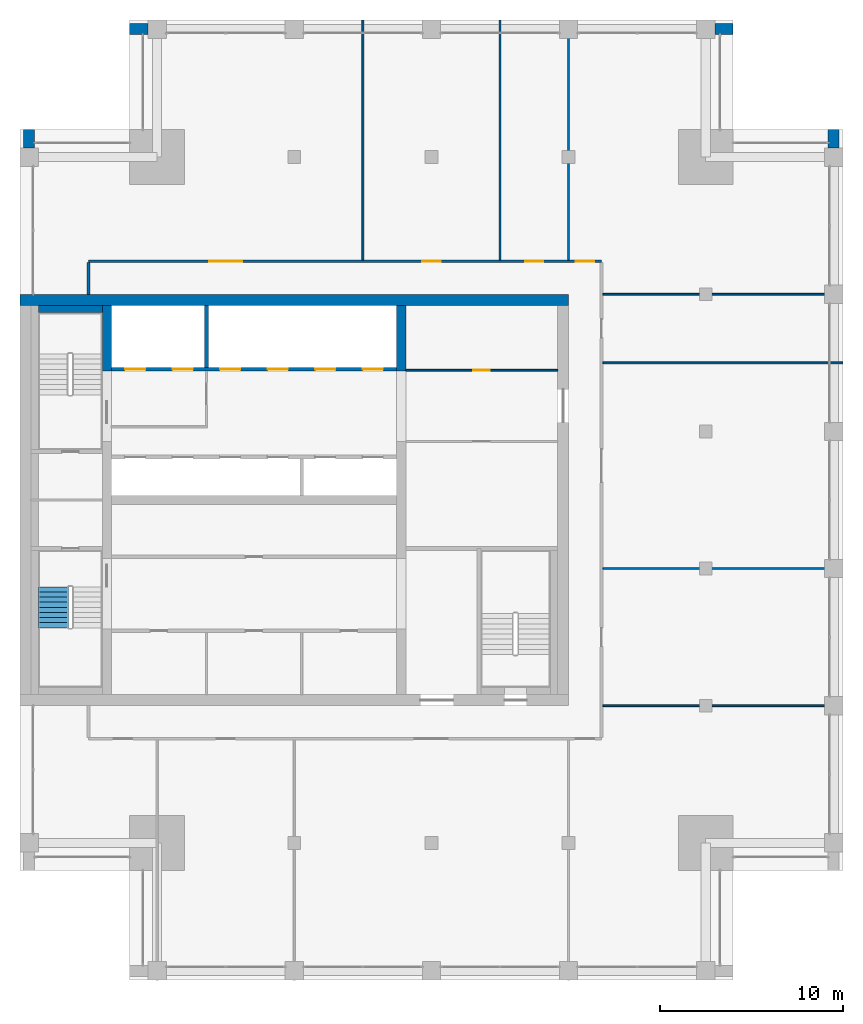
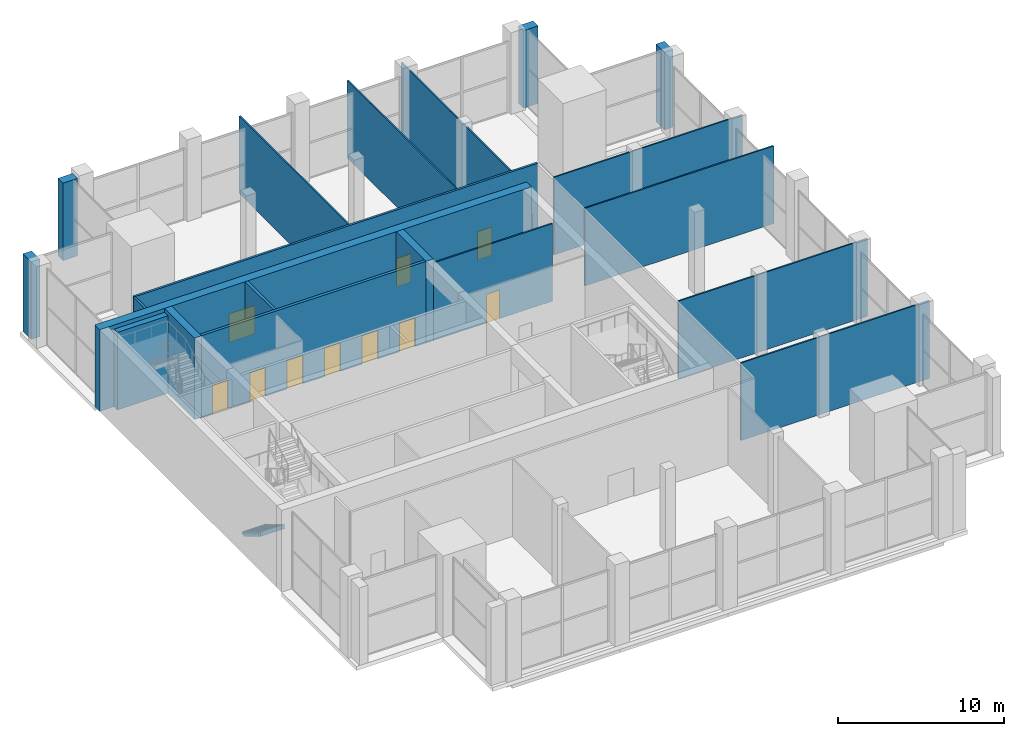
# One storey, part 10 of 15: 20 walls, 11 doors, 1 stair flight, 11 openings, 1 element without a shape of its own.
"""IFC4 building model written with IfcOpenShell, lengths in metres."""

from ifc_helpers import new_model, si_unit, direction, frame, frame_2d, origin, place, context, subcontext, project, spatial, polyline, rectangle, outline, extrude, material, layer, layer_set, type_object, element, fill, aggregate, save


model = new_model("IFC4")

# Units and contexts
model_context = context("Model", 3, precision=1e-05, world=origin(), true_north=direction((0.0, 1.0)))
body_context = subcontext(model_context, "Body", "Model", "MODEL_VIEW")
ifc_project = project(units=[si_unit("LENGTHUNIT", "METRE"), si_unit("AREAUNIT", "SQUARE_METRE"), si_unit("VOLUMEUNIT", "CUBIC_METRE"), si_unit("PLANEANGLEUNIT", "RADIAN"), si_unit("MASSUNIT", "GRAM", prefix="KILO")], contexts=[model_context])

# Site, building, storey
site_placement = place(None, origin())
site = spatial("IfcSite", under=ifc_project, at=site_placement, CompositionType="ELEMENT")
building_placement = place(site_placement, origin())
building = spatial("IfcBuilding", under=site, at=building_placement, Name="Tamorin Gate", CompositionType="ELEMENT")
storey_placement = place(building_placement, frame((0.0, 0.0, 302.699951171875)))
storey = spatial("IfcBuildingStorey", under=building, at=storey_placement, Name="L75", CompositionType="ELEMENT", Elevation=302.699951171875)

# Walls
ifc_material_1 = material(Name="Precast concrete C40/50", Category="concrete")
ifc_layer_1 = layer(ifc_material_1, 0.60009765625)
ifc_layer_set_1 = layer_set([ifc_layer_1], Name="Precast concrete C40/50")
wall_type_1 = type_object("IfcWallType", Name="Board-marked concrete facade panel 600", PredefinedType="SOLIDWALL", material=ifc_layer_set_1)
for number, where, z_axis, x_axis, name in (
    (1, (74.5, 90.5, 0.0), (0.0, 0.0, 1.0), (0.0, 1.0, 0.0), "Facade panel"),
    (2, (69.0, 97.0, 0.0), (0.0, 0.0, 1.0), (-1.0, 0.0, 0.0), "Facade panel"),
    (3, (37.0, 97.0, 0.0), (0.0, 0.0, 1.0), (-1.0, 0.0, 0.0), "Facade panel"),
    (4, (30.5, 91.5, 0.0), (0.0, 0.0, 1.0), (0.0, -1.0, 0.0), "Facade panel"),
):
    element("IfcWall", number, at=place(storey_placement, frame(where, z_axis=z_axis, x_axis=x_axis)), inside=storey, type_object=wall_type_1, Name=name, PredefinedType="SOLIDWALL", context=body_context, shape_type="SweptSolid", body=[
        extrude(rectangle(XDim=1.0, YDim=0.60009765625, at=frame_2d((0.5, 0.0))), origin(), (0.0, 0.0, 1.0), 5.699951171875),
    ])

# Wall, openings, doors
ifc_material_2 = material(Name="Gypsum board partition")
ifc_layer_2 = layer(ifc_material_2, 0.14990234375)
ifc_layer_set_2 = layer_set([ifc_layer_2], Name="Corridor wall 150")
wall_type_2 = type_object("IfcWallType", Name="Corridor wall 150", PredefinedType="PARTITIONING", material=ifc_layer_set_2)
wall_1_placement = place(storey_placement, frame((33.75, 84.300048828125, 0.0), z_axis=(0.0, 0.0, 1.0), x_axis=(1.0, 0.0, 0.0)))
wall_1 = element("IfcWall", 5, at=wall_1_placement, inside=storey, type_object=wall_type_2, Name="Corridor wall 150", PredefinedType="PARTITIONING", context=body_context, shape_type="SweptSolid", body=[
    extrude(rectangle(XDim=28.050048828125, YDim=0.14990234375, at=frame_2d((14.02490234375, 0.0))), origin(), (0.0, 0.0, 1.0), 5.699951171875),
])
opening_1_placement = place(wall_1_placement, frame((6.60009765625, 0.0, 0.0)))
opening_1 = element("IfcOpeningElement", 6, at=opening_1_placement, cuts=wall_1, Name="Opening DOB1005", PredefinedType="OPENING", context=body_context, shape_type="SweptSolid", body=[
    extrude(rectangle(XDim=1.800048828125, YDim=2.10009765625, at=frame_2d((0.89990234375, 1.050048828125))), frame((0.0, 0.0849609375, 0.0), z_axis=(0.0, -1.0, 0.0), x_axis=(1.0, 0.0, 0.0)), (0.0, 0.0, 1.0), 0.169921875),
])
opening_2_placement = place(wall_1_placement, frame((18.25, 0.0, 0.0)))
opening_2 = element("IfcOpeningElement", 7, at=opening_2_placement, cuts=wall_1, Name="Opening DOB1006", PredefinedType="OPENING", context=body_context, shape_type="SweptSolid", body=[
    extrude(rectangle(XDim=1.0, YDim=2.10009765625, at=frame_2d((0.5, 1.050048828125))), frame((0.0, 0.0849609375, 0.0), z_axis=(0.0, -1.0, 0.0), x_axis=(1.0, 0.0, 0.0)), (0.0, 0.0, 1.0), 0.169921875),
])
opening_3_placement = place(wall_1_placement, frame((23.875, 0.0, 0.0)))
opening_3 = element("IfcOpeningElement", 8, at=opening_3_placement, cuts=wall_1, Name="Opening DOB1007", PredefinedType="OPENING", context=body_context, shape_type="SweptSolid", body=[
    extrude(rectangle(XDim=1.0, YDim=2.10009765625, at=frame_2d((0.5, 1.050048828125))), frame((0.0, 0.0849609375, 0.0), z_axis=(0.0, -1.0, 0.0), x_axis=(1.0, 0.0, 0.0)), (0.0, 0.0, 1.0), 0.169921875),
])
opening_4_placement = place(wall_1_placement, frame((26.64990234375, 0.0, 0.0)))
opening_4 = element("IfcOpeningElement", 9, at=opening_4_placement, cuts=wall_1, Name="Opening DOB1008", PredefinedType="OPENING", context=body_context, shape_type="SweptSolid", body=[
    extrude(rectangle(XDim=1.0, YDim=2.10009765625, at=frame_2d((0.5, 1.050048828125))), frame((0.0, 0.0849609375, 0.0), z_axis=(0.0, -1.0, 0.0), x_axis=(1.0, 0.0, 0.0)), (0.0, 0.0, 1.0), 0.169921875),
])
ifc_material_3 = material(Name="Timber door leaf", Category="wood")
door_type_1 = type_object("IfcDoorType", Name="Door 1000 x 2100 FD30S", OperationType="NOTDEFINED", PredefinedType="DOOR", material=ifc_material_3)
door_1_placement = place(opening_2_placement, origin())
door_1 = element("IfcDoor", 10, at=door_1_placement, inside=storey, type_object=door_type_1, Name="Door DOB1006", OperationType="SINGLE_SWING_LEFT", OverallHeight=2.10009765625, OverallWidth=1.0, PredefinedType="DOOR", context=body_context, shape_type="SweptSolid", body=[
    extrude(rectangle(XDim=1.0, YDim=2.10009765625, at=frame_2d((0.5, 1.050048828125))), frame((0.0, 0.02490234375, 0.0), z_axis=(0.0, -1.0, 0.0), x_axis=(1.0, 0.0, 0.0)), (0.0, 0.0, 1.0), 0.050048828125),
])
fill(opening_2, door_1)
door_2_placement = place(opening_3_placement, origin())
door_2 = element("IfcDoor", 11, at=door_2_placement, inside=storey, type_object=door_type_1, Name="Door DOB1007", OperationType="SINGLE_SWING_LEFT", OverallHeight=2.10009765625, OverallWidth=1.0, PredefinedType="DOOR", context=body_context, shape_type="SweptSolid", body=[
    extrude(rectangle(XDim=1.0, YDim=2.10009765625, at=frame_2d((0.5, 1.050048828125))), frame((0.0, 0.02490234375, 0.0), z_axis=(0.0, -1.0, 0.0), x_axis=(1.0, 0.0, 0.0)), (0.0, 0.0, 1.0), 0.050048828125),
])
fill(opening_3, door_2)
door_3_placement = place(opening_4_placement, origin())
door_3 = element("IfcDoor", 12, at=door_3_placement, inside=storey, type_object=door_type_1, Name="Door DOB1008", OperationType="SINGLE_SWING_LEFT", OverallHeight=2.10009765625, OverallWidth=1.0, PredefinedType="DOOR", context=body_context, shape_type="SweptSolid", body=[
    extrude(rectangle(XDim=1.0, YDim=2.10009765625, at=frame_2d((0.5, 1.050048828125))), frame((0.0, 0.02490234375, 0.0), z_axis=(0.0, -1.0, 0.0), x_axis=(1.0, 0.0, 0.0)), (0.0, 0.0, 1.0), 0.050048828125),
])
fill(opening_4, door_3)
door_type_2 = type_object("IfcDoorType", Name="Door 1800 x 2100 FD30S", OperationType="DOUBLE_DOOR_SINGLE_SWING", PredefinedType="DOOR", material=ifc_material_3)
door_4_placement = place(opening_1_placement, origin())
door_4 = element("IfcDoor", 13, at=door_4_placement, inside=storey, type_object=door_type_2, Name="Door DOB1005", OperationType="DOUBLE_DOOR_SINGLE_SWING", OverallHeight=2.10009765625, OverallWidth=1.800048828125, PredefinedType="DOOR", context=body_context, shape_type="SweptSolid", body=[
    extrude(rectangle(XDim=1.800048828125, YDim=2.10009765625, at=frame_2d((0.89990234375, 1.050048828125))), frame((0.0, 0.02490234375, 0.0), z_axis=(0.0, -1.0, 0.0), x_axis=(1.0, 0.0, 0.0)), (0.0, 0.0, 1.0), 0.050048828125),
])
fill(opening_1, door_4)

# Wall
wall_2_placement = place(storey_placement, frame((33.75, 82.5, 0.0), z_axis=(0.0, 0.0, 1.0), x_axis=(0.0, 1.0, 0.0)))
element("IfcWall", 14, at=wall_2_placement, inside=storey, type_object=wall_type_2, Name="Corridor wall 150", PredefinedType="PARTITIONING", context=body_context, shape_type="SweptSolid", body=[
    extrude(rectangle(XDim=1.72509765625, YDim=0.14990234375, at=frame_2d((0.862548828125, 0.0))), origin(), (0.0, 0.0, 1.0), 5.699951171875),
])

# Wall, openings, doors
ifc_material_4 = material(Name="Concrete C32/40", Category="concrete")
ifc_layer_3 = layer(ifc_material_4, 0.199951171875)
ifc_layer_set_3 = layer_set([ifc_layer_3], Name="Lift lobby face wall 200 EI 120")
wall_type_3 = type_object("IfcWallType", Name="Lift lobby face wall 200 EI 120", PredefinedType="SOLIDWALL", material=ifc_layer_set_3)
wall_3_placement = place(storey_placement, frame((35.0, 78.39990234375, 0.0), z_axis=(0.0, 0.0, 1.0), x_axis=(1.0, 0.0, 0.0)))
wall_3 = element("IfcWall", 15, at=wall_3_placement, inside=storey, type_object=wall_type_3, Name="Lift lobby face wall", PredefinedType="SOLIDWALL", context=body_context, shape_type="SweptSolid", body=[
    extrude(rectangle(XDim=15.60009765625, YDim=0.199951171875, at=frame_2d((7.800048828125, 0.0))), origin(), (0.0, 0.0, 1.0), 6.0),
])
opening_5_placement = place(wall_3_placement, frame((0.75, 0.0, 0.0)))
opening_5 = element("IfcOpeningElement", 16, at=opening_5_placement, cuts=wall_3, Name="Opening LD17", PredefinedType="OPENING", context=body_context, shape_type="SweptSolid", body=[
    extrude(rectangle(XDim=1.10009765625, YDim=2.10009765625, at=frame_2d((0.550048828125, 1.050048828125))), frame((0.0, 0.10986328125, 0.0), z_axis=(0.0, -1.0, 0.0), x_axis=(1.0, 0.0, 0.0)), (0.0, 0.0, 1.0), 0.219970703125),
])
opening_6_placement = place(wall_3_placement, frame((3.35009765625, 0.0, 0.0)))
opening_6 = element("IfcOpeningElement", 17, at=opening_6_placement, cuts=wall_3, Name="Opening LD18", PredefinedType="OPENING", context=body_context, shape_type="SweptSolid", body=[
    extrude(rectangle(XDim=1.10009765625, YDim=2.10009765625, at=frame_2d((0.550048828125, 1.050048828125))), frame((0.0, 0.10986328125, 0.0), z_axis=(0.0, -1.0, 0.0), x_axis=(1.0, 0.0, 0.0)), (0.0, 0.0, 1.0), 0.219970703125),
])
opening_7_placement = place(wall_3_placement, frame((5.949951171875, 0.0, 0.0)))
opening_7 = element("IfcOpeningElement", 18, at=opening_7_placement, cuts=wall_3, Name="Opening LD19", PredefinedType="OPENING", context=body_context, shape_type="SweptSolid", body=[
    extrude(rectangle(XDim=1.10009765625, YDim=2.10009765625, at=frame_2d((0.550048828125, 1.050048828125))), frame((0.0, 0.10986328125, 0.0), z_axis=(0.0, -1.0, 0.0), x_axis=(1.0, 0.0, 0.0)), (0.0, 0.0, 1.0), 0.219970703125),
])
opening_8_placement = place(wall_3_placement, frame((8.550048828125, 0.0, 0.0)))
opening_8 = element("IfcOpeningElement", 19, at=opening_8_placement, cuts=wall_3, Name="Opening LD20", PredefinedType="OPENING", context=body_context, shape_type="SweptSolid", body=[
    extrude(rectangle(XDim=1.10009765625, YDim=2.10009765625, at=frame_2d((0.550048828125, 1.050048828125))), frame((0.0, 0.10986328125, 0.0), z_axis=(0.0, -1.0, 0.0), x_axis=(1.0, 0.0, 0.0)), (0.0, 0.0, 1.0), 0.219970703125),
])
opening_9_placement = place(wall_3_placement, frame((11.14990234375, 0.0, 0.0)))
opening_9 = element("IfcOpeningElement", 20, at=opening_9_placement, cuts=wall_3, Name="Opening LD21", PredefinedType="OPENING", context=body_context, shape_type="SweptSolid", body=[
    extrude(rectangle(XDim=1.10009765625, YDim=2.10009765625, at=frame_2d((0.550048828125, 1.050048828125))), frame((0.0, 0.10986328125, 0.0), z_axis=(0.0, -1.0, 0.0), x_axis=(1.0, 0.0, 0.0)), (0.0, 0.0, 1.0), 0.219970703125),
])
opening_10_placement = place(wall_3_placement, frame((13.75, 0.0, 0.0)))
opening_10 = element("IfcOpeningElement", 21, at=opening_10_placement, cuts=wall_3, Name="Opening LD22", PredefinedType="OPENING", context=body_context, shape_type="SweptSolid", body=[
    extrude(rectangle(XDim=1.10009765625, YDim=2.10009765625, at=frame_2d((0.550048828125, 1.050048828125))), frame((0.0, 0.10986328125, 0.0), z_axis=(0.0, -1.0, 0.0), x_axis=(1.0, 0.0, 0.0)), (0.0, 0.0, 1.0), 0.219970703125),
])
ifc_material_5 = material(Name="Stainless steel sliding door", Category="steel")
door_type_3 = type_object("IfcDoorType", Name="Lift landing door 1100 x 2100 E 90", OperationType="DOUBLE_DOOR_SLIDING", PredefinedType="DOOR", material=ifc_material_5)
door_5_placement = place(opening_5_placement, origin())
door_5 = element("IfcDoor", 22, at=door_5_placement, inside=storey, type_object=door_type_3, Name="FF1 landing door", OperationType="DOUBLE_DOOR_SLIDING", OverallHeight=2.10009765625, OverallWidth=1.10009765625, PredefinedType="DOOR", context=body_context, shape_type="SweptSolid", body=[
    extrude(rectangle(XDim=1.10009765625, YDim=2.10009765625, at=frame_2d((0.550048828125, 1.050048828125))), frame((0.0, 0.02490234375, 0.0), z_axis=(0.0, -1.0, 0.0), x_axis=(1.0, 0.0, 0.0)), (0.0, 0.0, 1.0), 0.050048828125),
])
fill(opening_5, door_5)
door_6_placement = place(opening_6_placement, origin())
door_6 = element("IfcDoor", 23, at=door_6_placement, inside=storey, type_object=door_type_3, Name="FF2 landing door", OperationType="DOUBLE_DOOR_SLIDING", OverallHeight=2.10009765625, OverallWidth=1.10009765625, PredefinedType="DOOR", context=body_context, shape_type="SweptSolid", body=[
    extrude(rectangle(XDim=1.10009765625, YDim=2.10009765625, at=frame_2d((0.550048828125, 1.050048828125))), frame((0.0, 0.02490234375, 0.0), z_axis=(0.0, -1.0, 0.0), x_axis=(1.0, 0.0, 0.0)), (0.0, 0.0, 1.0), 0.050048828125),
])
fill(opening_6, door_6)
door_7_placement = place(opening_7_placement, origin())
door_7 = element("IfcDoor", 24, at=door_7_placement, inside=storey, type_object=door_type_3, Name="OB1 landing door", OperationType="DOUBLE_DOOR_SLIDING", OverallHeight=2.10009765625, OverallWidth=1.10009765625, PredefinedType="DOOR", context=body_context, shape_type="SweptSolid", body=[
    extrude(rectangle(XDim=1.10009765625, YDim=2.10009765625, at=frame_2d((0.550048828125, 1.050048828125))), frame((0.0, 0.02490234375, 0.0), z_axis=(0.0, -1.0, 0.0), x_axis=(1.0, 0.0, 0.0)), (0.0, 0.0, 1.0), 0.050048828125),
])
fill(opening_7, door_7)
door_8_placement = place(opening_8_placement, origin())
door_8 = element("IfcDoor", 25, at=door_8_placement, inside=storey, type_object=door_type_3, Name="OB2 landing door", OperationType="DOUBLE_DOOR_SLIDING", OverallHeight=2.10009765625, OverallWidth=1.10009765625, PredefinedType="DOOR", context=body_context, shape_type="SweptSolid", body=[
    extrude(rectangle(XDim=1.10009765625, YDim=2.10009765625, at=frame_2d((0.550048828125, 1.050048828125))), frame((0.0, 0.02490234375, 0.0), z_axis=(0.0, -1.0, 0.0), x_axis=(1.0, 0.0, 0.0)), (0.0, 0.0, 1.0), 0.050048828125),
])
fill(opening_8, door_8)
door_9_placement = place(opening_9_placement, origin())
door_9 = element("IfcDoor", 26, at=door_9_placement, inside=storey, type_object=door_type_3, Name="SV1 landing door", OperationType="DOUBLE_DOOR_SLIDING", OverallHeight=2.10009765625, OverallWidth=1.10009765625, PredefinedType="DOOR", context=body_context, shape_type="SweptSolid", body=[
    extrude(rectangle(XDim=1.10009765625, YDim=2.10009765625, at=frame_2d((0.550048828125, 1.050048828125))), frame((0.0, 0.02490234375, 0.0), z_axis=(0.0, -1.0, 0.0), x_axis=(1.0, 0.0, 0.0)), (0.0, 0.0, 1.0), 0.050048828125),
])
fill(opening_9, door_9)
door_10_placement = place(opening_10_placement, origin())
door_10 = element("IfcDoor", 27, at=door_10_placement, inside=storey, type_object=door_type_3, Name="SV2 landing door", OperationType="DOUBLE_DOOR_SLIDING", OverallHeight=2.10009765625, OverallWidth=1.10009765625, PredefinedType="DOOR", context=body_context, shape_type="SweptSolid", body=[
    extrude(rectangle(XDim=1.10009765625, YDim=2.10009765625, at=frame_2d((0.550048828125, 1.050048828125))), frame((0.0, 0.02490234375, 0.0), z_axis=(0.0, -1.0, 0.0), x_axis=(1.0, 0.0, 0.0)), (0.0, 0.0, 1.0), 0.050048828125),
])
fill(opening_10, door_10)

# Walls
ifc_layer_4 = layer(ifc_material_4, 0.199951171875)
ifc_layer_set_4 = layer_set([ifc_layer_4], Name="Lift shaft wall 200 EI 120")
wall_type_4 = type_object("IfcWallType", Name="Lift shaft wall 200 EI 120", PredefinedType="SOLIDWALL", material=ifc_layer_set_4)
wall_4_placement = place(storey_placement, frame((40.199951171875, 78.5, 0.0), z_axis=(0.0, 0.0, 1.0), x_axis=(0.0, 1.0, 0.0)))
element("IfcWall", 28, at=wall_4_placement, inside=storey, type_object=wall_type_4, Name="Lift shaft wall", PredefinedType="SOLIDWALL", context=body_context, shape_type="SweptSolid", body=[
    extrude(rectangle(XDim=3.39990234375, YDim=0.199951171875, at=frame_2d((1.699951171875, 0.0))), origin(), (0.0, 0.0, 1.0), 6.0),
])
ifc_material_6 = material(Name="Concrete C50/60", Category="concrete")
ifc_layer_5 = layer(ifc_material_6, 0.5)
ifc_layer_set_5 = layer_set([ifc_layer_5], Name="RC core internal wall 500 C50/60")
wall_type_5 = type_object("IfcWallType", Name="RC core internal wall 500 C50/60", PredefinedType="SHEAR", material=ifc_layer_set_5)
for number, where, z_axis, x_axis, name in (
    (29, (34.75, 78.300048828125, 0.0), (0.0, 0.0, 1.0), (0.0, 1.0, 0.0), "Core cross wall L75"),
    (30, (50.85009765625, 78.300048828125, 0.0), (0.0, 0.0, 1.0), (0.0, 1.0, 0.0), "Core cross wall L75"),
):
    element("IfcWall", number, at=place(storey_placement, frame(where, z_axis=z_axis, x_axis=x_axis)), inside=storey, type_object=wall_type_5, Name=name, PredefinedType="SHEAR", context=body_context, shape_type="SweptSolid", body=[
        extrude(rectangle(XDim=3.599853515625, YDim=0.5, at=frame_2d((1.7998046875, 0.0))), origin(), (0.0, 0.0, 1.0), 6.0),
    ])
ifc_layer_6 = layer(ifc_material_6, 0.60009765625)
ifc_layer_set_6 = layer_set([ifc_layer_6], Name="RC core wall 600 C50/60")
wall_type_6 = type_object("IfcWallType", Name="RC core wall 600 C50/60", PredefinedType="SHEAR", material=ifc_layer_set_6)
wall_5_placement = place(storey_placement, frame((30.0, 82.199951171875, 0.0), z_axis=(0.0, 0.0, 1.0), x_axis=(1.0, 0.0, 0.0)))
element("IfcWall", 31, at=wall_5_placement, inside=storey, type_object=wall_type_6, Name="Core wall L75", PredefinedType="SHEAR", context=body_context, shape_type="SweptSolid", body=[
    extrude(rectangle(XDim=30.0, YDim=0.60009765625, at=frame_2d((15.0, 0.0))), origin(), (0.0, 0.0, 1.0), 6.0),
])
ifc_layer_7 = layer(ifc_material_2, 0.10009765625)
ifc_layer_set_7 = layer_set([ifc_layer_7], Name="Room partition 100")
wall_type_7 = type_object("IfcWallType", Name="Room partition 100", PredefinedType="PARTITIONING", material=ifc_layer_set_7)
for number, where, z_axis, x_axis, name in (
    (32, (61.875, 60.0, 0.0), (0.0, 0.0, 1.0), (1.0, 0.0, 0.0), "Room partition 100"),
    (33, (61.875, 67.5, 0.0), (0.0, 0.0, 1.0), (1.0, 0.0, 0.0), "Room partition 100"),
    (34, (61.875, 78.75, 0.0), (0.0, 0.0, 1.0), (1.0, 0.0, 0.0), "Room partition 100"),
    (35, (61.875, 82.5, 0.0), (0.0, 0.0, 1.0), (1.0, 0.0, 0.0), "Room partition 100"),
    (36, (48.75, 84.375, 0.0), (0.0, 0.0, 1.0), (0.0, 1.0, 0.0), "Room partition 100"),
    (37, (56.25, 84.375, 0.0), (0.0, 0.0, 1.0), (0.0, 1.0, 0.0), "Room partition 100"),
    (38, (60.0, 84.375, 0.0), (0.0, 0.0, 1.0), (0.0, 1.0, 0.0), "Room partition 100"),
):
    element("IfcWall", number, at=place(storey_placement, frame(where, z_axis=z_axis, x_axis=x_axis)), inside=storey, type_object=wall_type_7, Name=name, PredefinedType="PARTITIONING", context=body_context, shape_type="SweptSolid", body=[
        extrude(rectangle(XDim=13.125, YDim=0.10009765625, at=frame_2d((6.5625, 0.0))), origin(), (0.0, 0.0, 1.0), 5.699951171875),
    ])

# Wall, opening, door
ifc_layer_8 = layer(ifc_material_2, 0.10009765625)
ifc_layer_set_8 = layer_set([ifc_layer_8], Name="Service room partition 100 EI 60")
wall_type_8 = type_object("IfcWallType", Name="Service room partition 100 EI 60", PredefinedType="PARTITIONING", material=ifc_layer_set_8)
wall_6_placement = place(storey_placement, frame((51.10009765625, 78.35009765625, 0.0), z_axis=(0.0, 0.0, 1.0), x_axis=(1.0, 0.0, 0.0)))
wall_6 = element("IfcWall", 39, at=wall_6_placement, inside=storey, type_object=wall_type_8, Name="Service room wall", PredefinedType="PARTITIONING", context=body_context, shape_type="SweptSolid", body=[
    extrude(rectangle(XDim=8.2998046875, YDim=0.10009765625, at=frame_2d((4.14990234375, 0.0))), origin(), (0.0, 0.0, 1.0), 5.699951171875),
])
opening_11_placement = place(wall_6_placement, frame((3.699951171875, 0.0, 0.0)))
opening_11 = element("IfcOpeningElement", 40, at=opening_11_placement, cuts=wall_6, Name="Opening DK1", PredefinedType="OPENING", context=body_context, shape_type="SweptSolid", body=[
    extrude(rectangle(XDim=0.89990234375, YDim=2.10009765625, at=frame_2d((0.449951171875, 1.050048828125))), frame((0.0, 0.06005859375, 0.0), z_axis=(0.0, -1.0, 0.0), x_axis=(1.0, 0.0, 0.0)), (0.0, 0.0, 1.0), 0.1201171875),
])
ifc_material_7 = material(Name="Timber fire door", Category="wood")
door_type_4 = type_object("IfcDoorType", Name="Service room door 900 x 2100 EI 60", OperationType="SINGLE_SWING_LEFT", PredefinedType="DOOR", material=ifc_material_7)
door_11_placement = place(opening_11_placement, origin())
door_11 = element("IfcDoor", 41, at=door_11_placement, inside=storey, type_object=door_type_4, Name="Door Housekeeping office", OperationType="SINGLE_SWING_LEFT", OverallHeight=2.10009765625, OverallWidth=0.89990234375, PredefinedType="DOOR", context=body_context, shape_type="SweptSolid", body=[
    extrude(rectangle(XDim=0.89990234375, YDim=2.10009765625, at=frame_2d((0.449951171875, 1.050048828125))), frame((0.0, 0.02490234375, 0.0), z_axis=(0.0, -1.0, 0.0), x_axis=(1.0, 0.0, 0.0)), (0.0, 0.0, 1.0), 0.050048828125),
])
fill(opening_11, door_11)

# Wall
ifc_layer_9 = layer(ifc_material_6, 0.39990234375)
ifc_layer_set_9 = layer_set([ifc_layer_9], Name="Stair lining wall 400 EI 120 C50/60")
wall_type_9 = type_object("IfcWallType", Name="Stair lining wall 400 EI 120 C50/60", PredefinedType="SOLIDWALL", material=ifc_layer_set_9)
wall_7_placement = place(storey_placement, frame((31.0, 81.699951171875, 0.0), z_axis=(0.0, 0.0, 1.0), x_axis=(1.0, 0.0, 0.0)))
element("IfcWall", 42, at=wall_7_placement, inside=storey, type_object=wall_type_9, Name="Stair lining wall", PredefinedType="SOLIDWALL", context=body_context, shape_type="SweptSolid", body=[
    extrude(rectangle(XDim=3.5, YDim=0.39990234375, at=frame_2d((1.75, 0.0))), origin(), (0.0, 0.0, 1.0), 5.699951171875),
])

# Stair, stair flight
ifc_material_8 = material(Name="Concrete C40/50", Category="concrete")
stair_type = type_object("IfcStairType", Name="Exit stair", PredefinedType="HALF_TURN_STAIR", material=ifc_material_8)
stair_placement = place(storey_placement, origin())
stair = element("IfcStair", 43, at=stair_placement, inside=storey, type_object=stair_type, Name="L75 stair ST1", PredefinedType="HALF_TURN_STAIR")
stair_flight_type = type_object("IfcStairFlightType", Name="Exit stair flight", PredefinedType="STRAIGHT", material=ifc_material_8)
stair_flight_placement = place(storey_placement, frame((31.824951171875, 66.5, 0.0), z_axis=(0.0, 0.0, 1.0), x_axis=(0.0, -1.0, 0.0)))
stair_flight = element("IfcStairFlight", 44, at=stair_flight_placement, type_object=stair_flight_type, Name="ST1 flight 1", NumberOfRisers=9, NumberOfTreads=8, PredefinedType="STRAIGHT", RiserHeight=0.166666667, TreadLength=0.28, context=body_context, shape_type="SweptSolid", body=[
    extrude(outline(polyline([(-0.00048828125, 0.0), (-0.00048828125, 0.001708984375), (-0.00048828125, 0.00341796875), (-0.00048828125, 0.0048828125), (-0.00048828125, 0.006591796875), (-0.00048828125, 0.00830078125), (-0.00048828125, 0.010009765625), (-0.00048828125, 0.011474609375), (-0.00048828125, 0.01318359375), (-0.00048828125, 0.014892578125), (-0.00048828125, 0.0166015625), (-0.00048828125, 0.01806640625), (-0.00048828125, 0.019775390625), (-0.00048828125, 0.021484375), (-0.00048828125, 0.023193359375), (-0.00048828125, 0.024658203125), (-0.00048828125, 0.0263671875), (-0.00048828125, 0.028076171875), (-0.00048828125, 0.02978515625), (-0.00048828125, 0.03125), (-0.00048828125, 0.032958984375), (-0.00048828125, 0.03466796875), (-0.00048828125, 0.036376953125), (-0.00048828125, 0.037841796875), (-0.00048828125, 0.03955078125), (-0.00048828125, 0.041259765625), (-0.00048828125, 0.04296875), (-0.00048828125, 0.04443359375), (-0.00048828125, 0.046142578125), (-0.00048828125, 0.0478515625), (-0.00048828125, 0.049560546875), (-0.00048828125, 0.05126953125), (-0.00048828125, 0.052734375), (-0.00048828125, 0.054443359375), (-0.00048828125, 0.05615234375), (-0.00048828125, 0.057861328125), (-0.00048828125, 0.059326171875), (-0.00048828125, 0.06103515625), (-0.00048828125, 0.062744140625), (-0.00048828125, 0.064453125), (-0.00048828125, 0.06591796875), (-0.00048828125, 0.067626953125), (-0.00048828125, 0.0693359375), (-0.00048828125, 0.071044921875), (-0.00048828125, 0.072509765625), (-0.00048828125, 0.07421875), (-0.00048828125, 0.075927734375), (-0.00048828125, 0.07763671875), (-0.00048828125, 0.0791015625), (-0.00048828125, 0.080810546875), (-0.00048828125, 0.08251953125), (-0.00048828125, 0.084228515625), (-0.00048828125, 0.085693359375), (-0.00048828125, 0.08740234375), (-0.00048828125, 0.089111328125), (-0.00048828125, 0.0908203125), (-0.00048828125, 0.092529296875), (-0.00048828125, 0.093994140625), (-0.00048828125, 0.095703125), (-0.00048828125, 0.097412109375), (-0.00048828125, 0.09912109375), (-0.00048828125, 0.1005859375), (-0.00048828125, 0.102294921875), (-0.00048828125, 0.10400390625), (-0.00048828125, 0.105712890625), (-0.00048828125, 0.107177734375), (-0.00048828125, 0.10888671875), (-0.00048828125, 0.110595703125), (-0.00048828125, 0.1123046875), (-0.00048828125, 0.11376953125), (-0.00048828125, 0.115478515625), (-0.00048828125, 0.1171875), (-0.00048828125, 0.118896484375), (-0.00048828125, 0.120361328125), (-0.00048828125, 0.1220703125), (-0.00048828125, 0.123779296875), (-0.00048828125, 0.12548828125), (-0.00048828125, 0.126953125), (-0.00048828125, 0.128662109375), (-0.00048828125, 0.13037109375), (-0.00048828125, 0.132080078125), (-0.00048828125, 0.133544921875), (-0.00048828125, 0.13525390625), (-0.00048828125, 0.136962890625), (-0.00048828125, 0.138671875), (-0.00048828125, 0.140380859375), (-0.00048828125, 0.141845703125), (-0.00048828125, 0.1435546875), (-0.00048828125, 0.145263671875), (-0.00048828125, 0.14697265625), (-0.00048828125, 0.1484375), (-0.00048828125, 0.150146484375), (-0.00048828125, 0.15185546875), (-0.00048828125, 0.153564453125), (-0.00048828125, 0.155029296875), (-0.00048828125, 0.15673828125), (-0.00048828125, 0.158447265625), (-0.00048828125, 0.16015625), (-0.00048828125, 0.16162109375), (-0.00048828125, 0.163330078125), (-0.00048828125, 0.1650390625), (-0.00048828125, 0.166748046875), (0.280029296875, 0.166748046875), (0.280029296875, 0.333251953125), (0.56005859375, 0.333251953125), (0.56005859375, 0.5), (0.840087890625, 0.5), (0.840087890625, 0.666748046875), (1.1201171875, 0.666748046875), (1.1201171875, 0.833251953125), (1.39990234375, 0.833251953125), (1.39990234375, 1.0), (1.679931640625, 1.0), (1.679931640625, 1.166748046875), (1.9599609375, 1.166748046875), (1.9599609375, 1.333251953125), (2.239990234375, 1.333251953125), (2.239990234375, 1.5), (2.240478515625, 1.5), (2.240478515625, 1.49658203125), (2.240478515625, 1.4931640625), (2.240478515625, 1.48974609375), (2.240478515625, 1.486572265625), (2.240478515625, 1.483154296875), (2.240478515625, 1.479736328125), (2.240478515625, 1.476318359375), (2.240478515625, 1.472900390625), (2.240478515625, 1.469482421875), (2.240478515625, 1.46630859375), (2.240478515625, 1.462890625), (2.240478515625, 1.45947265625), (2.240478515625, 1.4560546875), (2.240478515625, 1.45263671875), (2.240478515625, 1.44921875), (2.240478515625, 1.446044921875), (2.240478515625, 1.442626953125), (2.240478515625, 1.439208984375), (2.240478515625, 1.435791015625), (2.240478515625, 1.432373046875), (2.240478515625, 1.428955078125), (2.240478515625, 1.42578125), (2.240478515625, 1.42236328125), (2.240478515625, 1.4189453125), (2.240478515625, 1.41552734375), (2.240478515625, 1.412109375), (2.240478515625, 1.40869140625), (2.240478515625, 1.405517578125), (2.240478515625, 1.402099609375), (2.240478515625, 1.398681640625), (2.240478515625, 1.395263671875), (2.240478515625, 1.391845703125), (2.240478515625, 1.388427734375), (2.240478515625, 1.38525390625), (2.240478515625, 1.3818359375), (2.240478515625, 1.37841796875), (2.240478515625, 1.375), (2.240478515625, 1.37158203125), (2.240478515625, 1.3681640625), (2.240478515625, 1.364990234375), (2.240478515625, 1.361572265625), (2.240478515625, 1.358154296875), (2.240478515625, 1.354736328125), (2.240478515625, 1.351318359375), (2.240478515625, 1.347900390625), (2.240478515625, 1.3447265625), (2.240478515625, 1.34130859375), (2.240478515625, 1.337890625), (2.240478515625, 1.33447265625), (2.240478515625, 1.3310546875), (2.240478515625, 1.32763671875), (2.240478515625, 1.324462890625), (2.240478515625, 1.321044921875), (2.240478515625, 1.317626953125), (2.240478515625, 1.314208984375), (2.240478515625, 1.310791015625), (2.240478515625, 1.307373046875), (2.240478515625, 1.30419921875), (2.240478515625, 1.30078125), (2.240478515625, 1.29736328125), (2.240478515625, 1.2939453125), (2.240478515625, 1.29052734375), (2.240478515625, 1.287109375), (2.240478515625, 1.283935546875), (2.240478515625, 1.280517578125), (2.240478515625, 1.277099609375), (2.240478515625, 1.273681640625), (2.240478515625, 1.270263671875), (2.240478515625, 1.266845703125), (2.240478515625, 1.263671875), (2.240478515625, 1.26025390625), (2.240478515625, 1.2568359375), (2.240478515625, 1.25341796875), (2.240478515625, 1.25), (2.240478515625, 1.24658203125), (2.240478515625, 1.243408203125), (2.240478515625, 1.239990234375), (2.240478515625, 1.236572265625), (2.240478515625, 1.233154296875), (2.240478515625, 1.229736328125), (2.240478515625, 1.226318359375), (2.240478515625, 1.22314453125), (2.240478515625, 1.2197265625), (2.240478515625, 1.21630859375), (2.240478515625, 1.212890625), (2.240478515625, 1.20947265625), (2.240478515625, 1.2060546875), (2.240478515625, 1.202880859375), (2.240478515625, 1.199462890625), (2.240478515625, 1.196044921875), (2.240478515625, 1.192626953125), (2.240478515625, 1.189208984375), (2.240478515625, 1.185791015625), (2.240478515625, 1.1826171875), (2.240478515625, 1.17919921875), (2.240478515625, 1.17578125), (2.240478515625, 1.17236328125), (2.240478515625, 1.1689453125), (2.240478515625, 1.16552734375), (2.240478515625, 1.162353515625), (2.240478515625, 1.158935546875), (2.239990234375, 1.158935546875), (0.29296875, 0.0), (-0.00048828125, 0.0)])), frame((0.0, 0.824951171875, 0.0), z_axis=(0.0, -1.0, 0.0), x_axis=(1.0, 0.0, 0.0)), (0.0, 0.0, 1.0), 1.64990234375),
])
aggregate(stair, [stair_flight])

save(model, "model.ifc")
